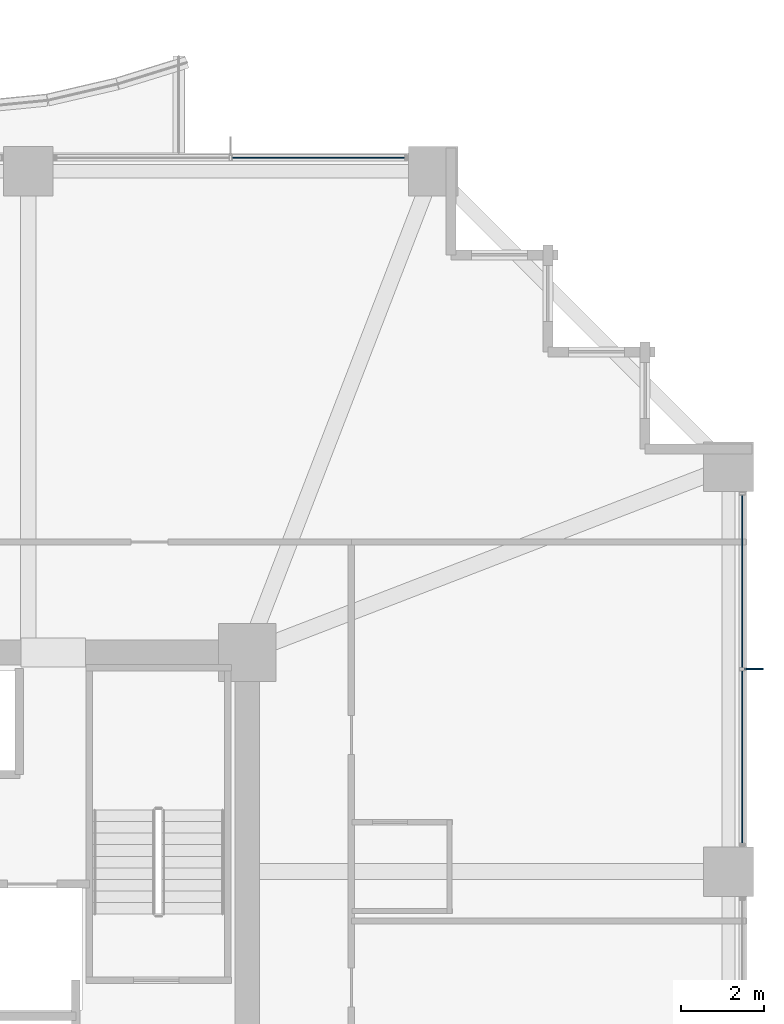
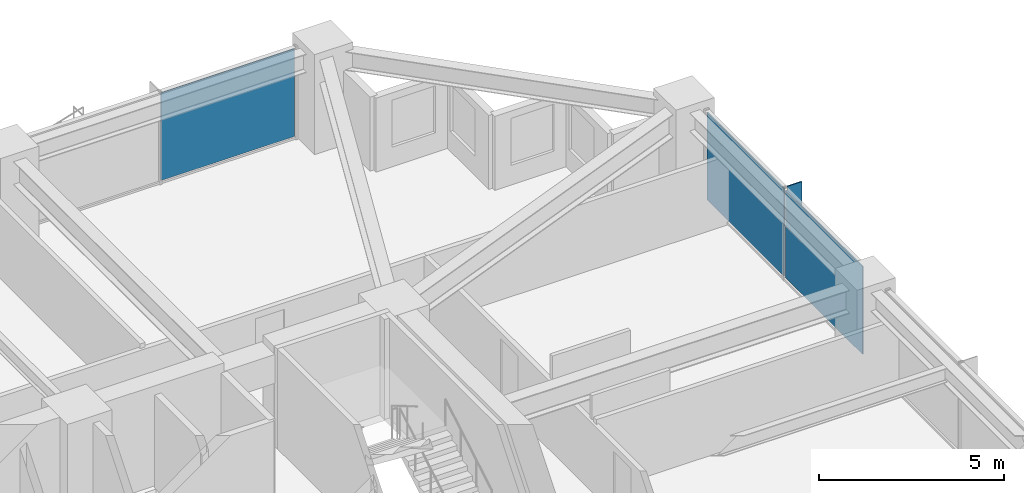
# One storey, part 31 of 38: 4 plates, 2 elements without a shape of their own.
"""IFC4 building model written with IfcOpenShell, lengths in metres."""

import ifcopenshell
import ifcopenshell.guid

model = None  # the IFC model being written
_history = None  # IfcOwnerHistory: only IFC2X3 demands one
_inside = {}  # id of a spatial element -> (the spatial element, [elements in it])
_under = {}  # id of a project, library or spatial element -> (it, [spatial elements below it])
_declared = {}  # id of a project -> (the project, [libraries it declares])
_typed = {}  # id of a type object -> (the type object, [elements of that type])
_made_of = {}  # id of a material, layer set ... -> (it, [elements and type objects made of it])


def new_model(schema):
    """Start an empty IFC model of exactly this schema.

    Asked for "IFC4X3", IfcOpenShell would pick the latest addendum, in which some entities
    have other attributes; the version numbers below select the first issue.
    IFC2X3 requires an IfcOwnerHistory on every rooted entity: one is made here for all.
    """
    global model, _history
    if schema == "IFC4X3":
        model = ifcopenshell.file(schema_version=(4, 3, 0, 0))
    else:
        model = ifcopenshell.file(schema=schema)
    _inside.clear()
    _under.clear()
    _declared.clear()
    _typed.clear()
    _made_of.clear()
    _history = None
    if model.schema == "IFC2X3":
        org = make("IfcOrganization", Name="unknown")
        user = make(
            "IfcPersonAndOrganization",
            ThePerson=make("IfcPerson", FamilyName="unknown"),
            TheOrganization=org,
        )
        app = make(
            "IfcApplication",
            ApplicationDeveloper=org,
            Version="unknown",
            ApplicationFullName="unknown",
            ApplicationIdentifier="unknown",
        )
        _history = make(
            "IfcOwnerHistory",
            OwningUser=user,
            OwningApplication=app,
            ChangeAction="ADDED",
            CreationDate=0,
        )
    return model


def make(cls, **values):
    """One entity of the class cls with the attributes given. An attribute that is None is left unset."""
    return model.create_entity(
        cls, **{name: value for name, value in values.items() if value is not None}
    )


def rooted(cls, **values):
    """An entity with a GlobalId (a new one), such as an element, a storey or a relation."""
    return make(cls, GlobalId=ifcopenshell.guid.new(), OwnerHistory=_history, **values)


def si_unit(unit_type, name, prefix=None):
    """IfcSIUnit, for example si_unit("LENGTHUNIT", "METRE", prefix="MILLI")."""
    return make("IfcSIUnit", UnitType=unit_type, Prefix=prefix, Name=name)


def assignment(units):
    """IfcUnitAssignment: the units of a project."""
    return None if units is None else make("IfcUnitAssignment", Units=units)


def point(xyz):
    """IfcCartesianPoint."""
    return None if xyz is None else make("IfcCartesianPoint", Coordinates=xyz)


def direction(xyz):
    """IfcDirection."""
    return None if xyz is None else make("IfcDirection", DirectionRatios=xyz)


def frame(location, z_axis=None, x_axis=None):
    """IfcAxis2Placement3D, a coordinate frame: its origin and axes. An axis left out is left unset."""
    return make(
        "IfcAxis2Placement3D",
        Location=point(location),
        Axis=direction(z_axis),
        RefDirection=direction(x_axis),
    )


def frame_2d(location, x_axis=None):
    """IfcAxis2Placement2D, a coordinate frame in the plane: its origin and x axis."""
    return make(
        "IfcAxis2Placement2D", Location=point(location), RefDirection=direction(x_axis)
    )


def origin():
    """The frame at (0, 0, 0) with its axes left unset."""
    return frame((0.0, 0.0, 0.0))


def origin_2d():
    """The frame at (0, 0) in the plane with its x axis left unset."""
    return frame_2d((0.0, 0.0))


def place(relative_to, where):
    """IfcLocalPlacement: puts the frame where relative to a parent placement (None: the world)."""
    return make(
        "IfcLocalPlacement", PlacementRelTo=relative_to, RelativePlacement=where
    )


def context(
    kind, dimensions, precision=None, world=None, true_north=None, identifier=None
):
    """IfcGeometricRepresentationContext, for example the 3D "Model" context."""
    return make(
        "IfcGeometricRepresentationContext",
        ContextIdentifier=identifier,
        ContextType=kind,
        CoordinateSpaceDimension=dimensions,
        Precision=precision,
        WorldCoordinateSystem=world,
        TrueNorth=true_north,
    )


def subcontext(parent, identifier, kind, view, scale=None):
    """IfcGeometricRepresentationSubContext, for example "Body" below "Model"."""
    return make(
        "IfcGeometricRepresentationSubContext",
        ContextIdentifier=identifier,
        ContextType=kind,
        ParentContext=parent,
        TargetScale=scale,
        TargetView=view,
    )


def project(units=None, contexts=None):
    """IfcProject with its units and contexts."""
    return rooted(
        "IfcProject",
        Name="project",
        RepresentationContexts=contexts,
        UnitsInContext=assignment(units),
    )


def spatial(cls, under=None, at=None, **own):
    """A site, building, storey or space (cls), placed at a placement, below another one or the project."""
    s = rooted(cls, ObjectPlacement=at, **own)
    if under is not None:
        _under.setdefault(under.id(), (under, []))[1].append(s)
    return s


def profile(cls, at=None, kind="AREA", **sizes):
    """A parametric profile (cls). Its sizes go by their IFC names, for example OverallWidth=200.0."""
    return make(cls, ProfileType=kind, Position=at, **sizes)


def rectangle(**sizes):
    """IfcRectangleProfileDef."""
    return profile("IfcRectangleProfileDef", **sizes)


def extrude(swept, where, along, depth):
    """IfcExtrudedAreaSolid: the profile swept, set in the frame where, extruded along a direction by depth."""
    return make(
        "IfcExtrudedAreaSolid",
        SweptArea=swept,
        Position=where,
        ExtrudedDirection=direction(along),
        Depth=depth,
    )


def shape(context_of_items, identifier, shape_type, items):
    """IfcShapeRepresentation: the items that make up one representation, for example the "Body"."""
    return make(
        "IfcShapeRepresentation",
        ContextOfItems=context_of_items,
        RepresentationIdentifier=identifier,
        RepresentationType=shape_type,
        Items=items,
    )


def material(Name=None, Category=None):
    """IfcMaterial."""
    return make("IfcMaterial", Name=Name, Category=Category)


def layer(
    of_material, thickness, ventilated=None, Name=None, Category=None, Priority=None
):
    """IfcMaterialLayer: one layer of a wall or slab, of a material (None: an air gap)."""
    return make(
        "IfcMaterialLayer",
        Material=of_material,
        LayerThickness=thickness,
        IsVentilated=ventilated,
        Name=Name,
        Category=Category,
        Priority=Priority,
    )


def layer_set(layers, Name=None):
    """IfcMaterialLayerSet."""
    return make("IfcMaterialLayerSet", MaterialLayers=layers, LayerSetName=Name)


def made_of(thing, what):
    """Note that an element or type object is made of a material, layer set ...; save() writes the relation."""
    if what is not None:
        _made_of.setdefault(what.id(), (what, []))[1].append(thing)
    return thing


def type_object(cls, material=None, **own):
    """A type object (cls), such as IfcWallType, which elements share."""
    return made_of(rooted(cls, **own), material)


def element(
    cls,
    number,
    at=None,
    inside=None,
    cuts=None,
    type_object=None,
    material=None,
    context=None,
    identifier="Body",
    shape_type=None,
    held_by="IfcProductDefinitionShape",
    body=None,
    shapes=None,
    **own,
):
    """One element of the class cls, such as IfcWall. Its Tag is "e" and its number.

    at: its placement. inside: the storey or other place that contains it. cuts: it is an
    opening in that element (IfcRelVoidsElement). A single representation is given by context,
    identifier, shape_type and body (its items); several are given by shapes. held_by: the class
    of the entity that holds the representations. save() writes the other relations.
    """
    e = rooted(cls, Tag="e%d" % number, ObjectPlacement=at, **own)
    if body is not None:
        shapes = [shape(context, identifier, shape_type, body)]
    if shapes is not None:
        e.Representation = make(held_by, Representations=shapes)
    if inside is not None:
        _inside.setdefault(inside.id(), (inside, []))[1].append(e)
    if cuts is not None:
        rooted(
            "IfcRelVoidsElement", RelatingBuildingElement=cuts, RelatedOpeningElement=e
        )
    if type_object is not None:
        _typed.setdefault(type_object.id(), (type_object, []))[1].append(e)
    return made_of(e, material)


def aggregate(whole, parts):
    """IfcRelAggregates: a whole, such as a stair, and the parts it consists of."""
    return rooted("IfcRelAggregates", RelatingObject=whole, RelatedObjects=parts)


def save(model, path):
    """Write the relations noted so far, then the file.

    IfcRelAggregates (storeys below a building ...), IfcRelContainedInSpatialStructure (elements
    in a storey), IfcRelDefinesByType, IfcRelAssociatesMaterial and IfcRelDeclares: one each for
    every whole, place, type object, material and project.
    """
    for whole, parts in _under.values():
        aggregate(whole, parts)
    for where, things in _inside.values():
        rooted(
            "IfcRelContainedInSpatialStructure",
            RelatedElements=things,
            RelatingStructure=where,
        )
    for kind, things in _typed.values():
        rooted("IfcRelDefinesByType", RelatedObjects=things, RelatingType=kind)
    for what, things in _made_of.values():
        rooted("IfcRelAssociatesMaterial", RelatedObjects=things, RelatingMaterial=what)
    for by, libraries in _declared.values():
        rooted("IfcRelDeclares", RelatingContext=by, RelatedDefinitions=libraries)
    model.write(path)


model = new_model("IFC4")

# Units and contexts
model_context = context("Model", 3, precision=1e-05, world=origin(), true_north=direction((0.0, 1.0)))
body_context = subcontext(model_context, "Body", "Model", "MODEL_VIEW")
ifc_project = project(units=[si_unit("LENGTHUNIT", "METRE"), si_unit("AREAUNIT", "SQUARE_METRE"), si_unit("VOLUMEUNIT", "CUBIC_METRE"), si_unit("PLANEANGLEUNIT", "RADIAN"), si_unit("MASSUNIT", "GRAM", prefix="KILO")], contexts=[model_context])

# Site, building, storey
site_placement = place(None, origin())
site = spatial("IfcSite", under=ifc_project, at=site_placement, CompositionType="ELEMENT")
building_placement = place(site_placement, origin())
building = spatial("IfcBuilding", under=site, at=building_placement, Name="Kolvaren Belvedere", CompositionType="ELEMENT")
storey_placement = place(building_placement, frame((0.0, 0.0, 30.39990234375)))
storey = spatial("IfcBuildingStorey", under=building, at=storey_placement, Name="L08", CompositionType="ELEMENT", Elevation=30.39990234375)

# Curtain wall, plates
ifc_material_1 = material(Name="Anodised pale-metal aluminium AA 6063-T6", Category="aluminium")
curtain_wall_type = type_object("IfcCurtainWallType", Name="CW-Z1-LOW", PredefinedType="NOTDEFINED", material=ifc_material_1)
curtain_wall_1_placement = place(storey_placement, origin())
curtain_wall_1 = element("IfcCurtainWall", 1, at=curtain_wall_1_placement, inside=storey, type_object=curtain_wall_type, Name="L08 Unitised Curtain Wall FCW-L08-E-B1", PredefinedType="NOTDEFINED")
ifc_material_2 = material(Name="Low-iron triple insulated glass", Category="glass")
ifc_layer_1 = layer(ifc_material_2, 0.028076171875)
ifc_layer_set_1 = layer_set([ifc_layer_1], Name="Low-iron triple insulated glass")
plate_type_1 = type_object("IfcPlateType", Name="CW-PNL-VIS28", PredefinedType="CURTAIN_PANEL", material=ifc_layer_set_1)
plate_1_placement = place(storey_placement, frame((21.8798828125, 11.62255859375, 0.080078125), z_axis=(0.0, 0.0, 1.0), x_axis=(0.0, -1.0, 0.0)))
plate_1 = element("IfcPlate", 2, at=plate_1_placement, type_object=plate_type_1, Name="FCW-L08-E-B1 Vision Glazing Panel 1", PredefinedType="CURTAIN_PANEL", context=body_context, shape_type="SweptSolid", body=[
    extrude(rectangle(XDim=4.1650390625, YDim=0.028076171875, at=origin_2d()), origin(), (0.0, 0.0, 1.0), 2.89990234375),
])
plate_2_placement = place(storey_placement, frame((21.8798828125, 7.37744140625, 0.080078125), z_axis=(0.0, 0.0, 1.0), x_axis=(0.0, -1.0, 0.0)))
plate_2 = element("IfcPlate", 3, at=plate_2_placement, type_object=plate_type_1, Name="FCW-L08-E-B1 Vision Glazing Panel 2", PredefinedType="CURTAIN_PANEL", context=body_context, shape_type="SweptSolid", body=[
    extrude(rectangle(XDim=4.1650390625, YDim=0.028076171875, at=origin_2d()), origin(), (0.0, 0.0, 1.0), 2.89990234375),
])
aggregate(curtain_wall_1, [plate_1, plate_2])

# Curtain wall, plate
curtain_wall_2_placement = place(storey_placement, origin())
curtain_wall_2 = element("IfcCurtainWall", 4, at=curtain_wall_2_placement, inside=storey, type_object=curtain_wall_type, Name="L08 Unitised Curtain Wall FCW-L08-N2-B2", PredefinedType="NOTDEFINED")
plate_3_placement = place(storey_placement, frame((11.62255859375, 21.8798828125, 0.080078125), z_axis=(0.0, 0.0, 1.0), x_axis=(1.0, 0.0, 0.0)))
plate_3 = element("IfcPlate", 5, at=plate_3_placement, type_object=plate_type_1, Name="FCW-L08-N2-B2 Vision Glazing Panel 2", PredefinedType="CURTAIN_PANEL", context=body_context, shape_type="SweptSolid", body=[
    extrude(rectangle(XDim=4.1650390625, YDim=0.028076171875, at=origin_2d()), origin(), (0.0, 0.0, 1.0), 2.89990234375),
])
aggregate(curtain_wall_2, [plate_3])

# Plate
ifc_material_3 = material(Name="Anodised pale-metal aluminium AA 6063-T6", Category="aluminium")
ifc_layer_2 = layer(ifc_material_3, 0.0380859375)
ifc_layer_set_2 = layer_set([ifc_layer_2], Name="Anodised pale-metal aluminium AA 6063-T6")
plate_type_2 = type_object("IfcPlateType", Name="FIN-VERT-450", PredefinedType="USERDEFINED", material=ifc_layer_set_2)
plate_4_placement = place(storey_placement, frame((22.1650390625, 9.5, 0.0), z_axis=(0.0, 0.0, 1.0), x_axis=(1.0, 0.0, 0.0)))
element("IfcPlate", 6, at=plate_4_placement, inside=storey, type_object=plate_type_2, Name="L08 Pale-Metal Vertical Shading Fin FCW-L08-E-B1-1", ObjectType="VERTICAL FIN", PredefinedType="USERDEFINED", context=body_context, shape_type="SweptSolid", body=[
    extrude(rectangle(XDim=0.449951171875, YDim=0.0380859375, at=origin_2d()), origin(), (0.0, 0.0, 1.0), 3.06005859375),
])

save(model, "model.ifc")
